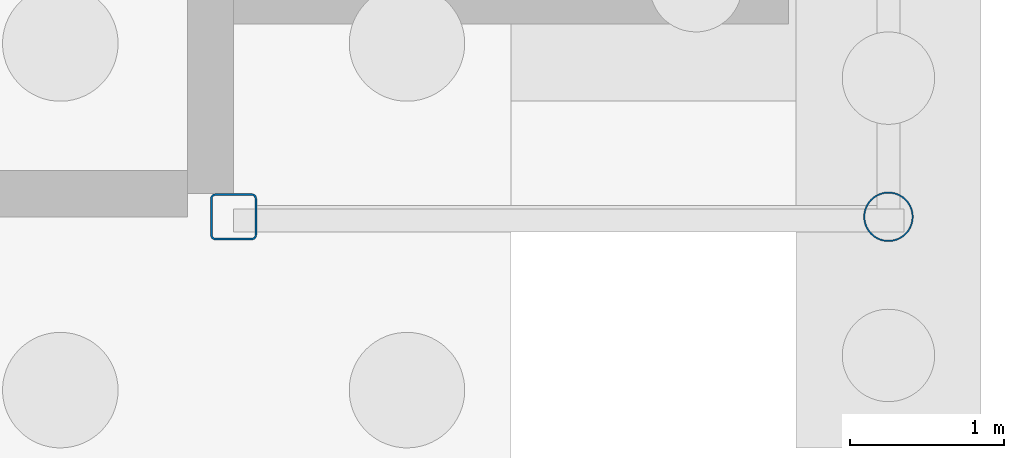
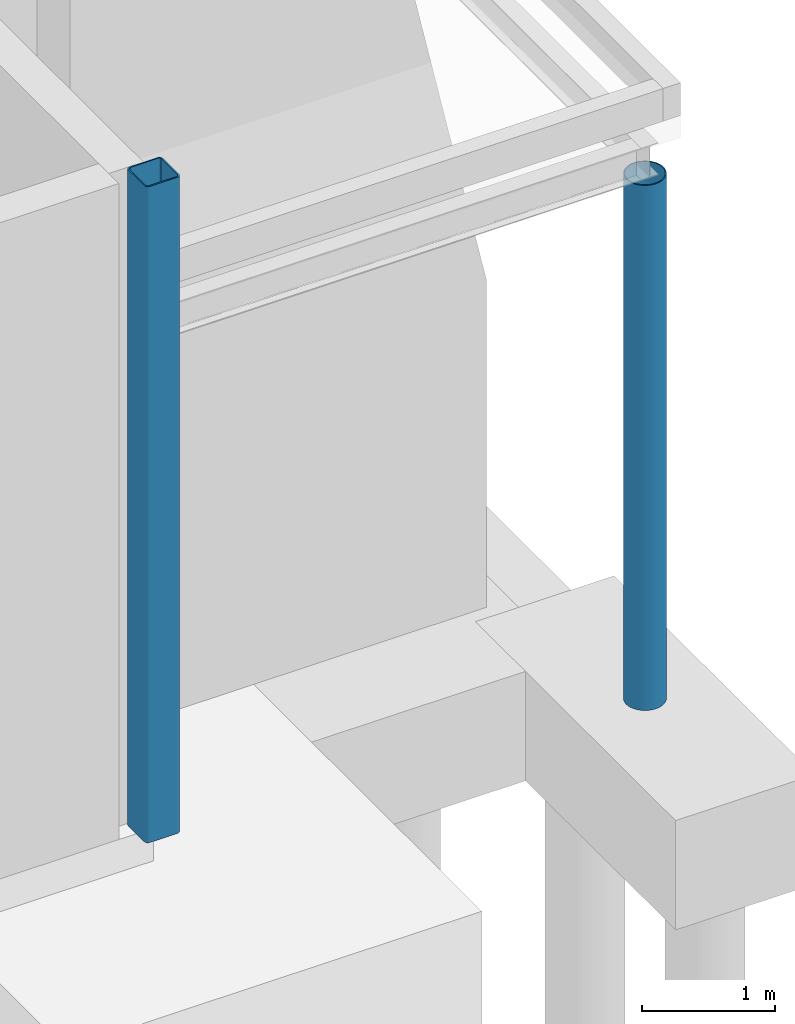
# One storey, part 34 of 139: 2 columns.
"""IFC4 building model written with IfcOpenShell, lengths in metres."""

from ifc_helpers import new_model, si_unit, direction, frame, origin, origin_2d, place, context, subcontext, project, spatial, hollow_rectangle, hollow_circle, extrude, material, material_profile, profile_set, type_object, element, save


model = new_model("IFC4")

# Units and contexts
model_context = context("Model", 3, precision=1e-05, world=origin(), true_north=direction((0.0, 1.0)))
body_context = subcontext(model_context, "Body", "Model", "MODEL_VIEW")
ifc_project = project(units=[si_unit("LENGTHUNIT", "METRE"), si_unit("AREAUNIT", "SQUARE_METRE"), si_unit("VOLUMEUNIT", "CUBIC_METRE"), si_unit("PLANEANGLEUNIT", "RADIAN"), si_unit("MASSUNIT", "GRAM", prefix="KILO")], contexts=[model_context])

# Site, building, storey
site_placement = place(None, origin())
site = spatial("IfcSite", under=ifc_project, at=site_placement, CompositionType="ELEMENT")
building_placement = place(site_placement, origin())
building = spatial("IfcBuilding", under=site, at=building_placement, Name="Shorebreak Coast Museum", CompositionType="ELEMENT")
storey_placement = place(building_placement, origin())
storey = spatial("IfcBuildingStorey", under=building, at=storey_placement, Name="L00", CompositionType="ELEMENT", Elevation=0.0)

# Columns
ifc_material_1 = material(Name="Steel Grade C350L0", Category="steel")
ifc_material_profile_1 = material_profile(ifc_material_1, hollow_circle(Radius=0.161865234375, WallThickness=0.009521484375, at=origin_2d()), Name="323.9x9.5 CHS")
ifc_profile_set_1 = profile_set([ifc_material_profile_1], Name="Steel Grade C350L0")
column_type_1 = type_object("IfcColumnType", Name="Arcade column 323.9x9.5 CHS", PredefinedType="COLUMN", material=ifc_profile_set_1)
column_1_placement = place(storey_placement, frame((175.25, 54.0, -0.300048828125), z_axis=(0.0, 0.0, 1.0), x_axis=(1.0, 0.0, 0.0)))
element("IfcColumn", 1, at=column_1_placement, inside=storey, type_object=column_type_1, Name="Arcade column east 1", PredefinedType="COLUMN", context=body_context, shape_type="SweptSolid", body=[
    extrude(hollow_circle(Radius=0.161865234375, WallThickness=0.009521484375, at=origin_2d()), origin(), (0.0, 0.0, 1.0), 4.802001953125),
])
ifc_material_2 = material(Name="Steel Grade C450L0", Category="steel")
ifc_material_profile_2 = material_profile(ifc_material_2, hollow_rectangle(XDim=0.300048828125, YDim=0.300048828125, WallThickness=0.012451171875, InnerFilletRadius=0.018798828125, OuterFilletRadius=0.03125, at=origin_2d()), Name="300x300x12.5 SHS")
ifc_profile_set_2 = profile_set([ifc_material_profile_2], Name="Steel Grade C450L0")
column_type_2 = type_object("IfcColumnType", Name="Column 300x300x12.5 SHS", PredefinedType="COLUMN", material=ifc_profile_set_2)
column_2_placement = place(storey_placement, frame((171.0, 54.0, 0.0), z_axis=(0.0, 0.0, 1.0), x_axis=(1.0, 0.0, 0.0)))
element("IfcColumn", 2, at=column_2_placement, inside=storey, type_object=column_type_2, Name="Column L00 20G", PredefinedType="COLUMN", context=body_context, shape_type="SweptSolid", body=[
    extrude(hollow_rectangle(XDim=0.300048828125, YDim=0.300048828125, WallThickness=0.012451171875, InnerFilletRadius=0.018798828125, OuterFilletRadius=0.03125, at=origin_2d()), origin(), (0.0, 0.0, 1.0), 6.0),
])

save(model, "model.ifc")
